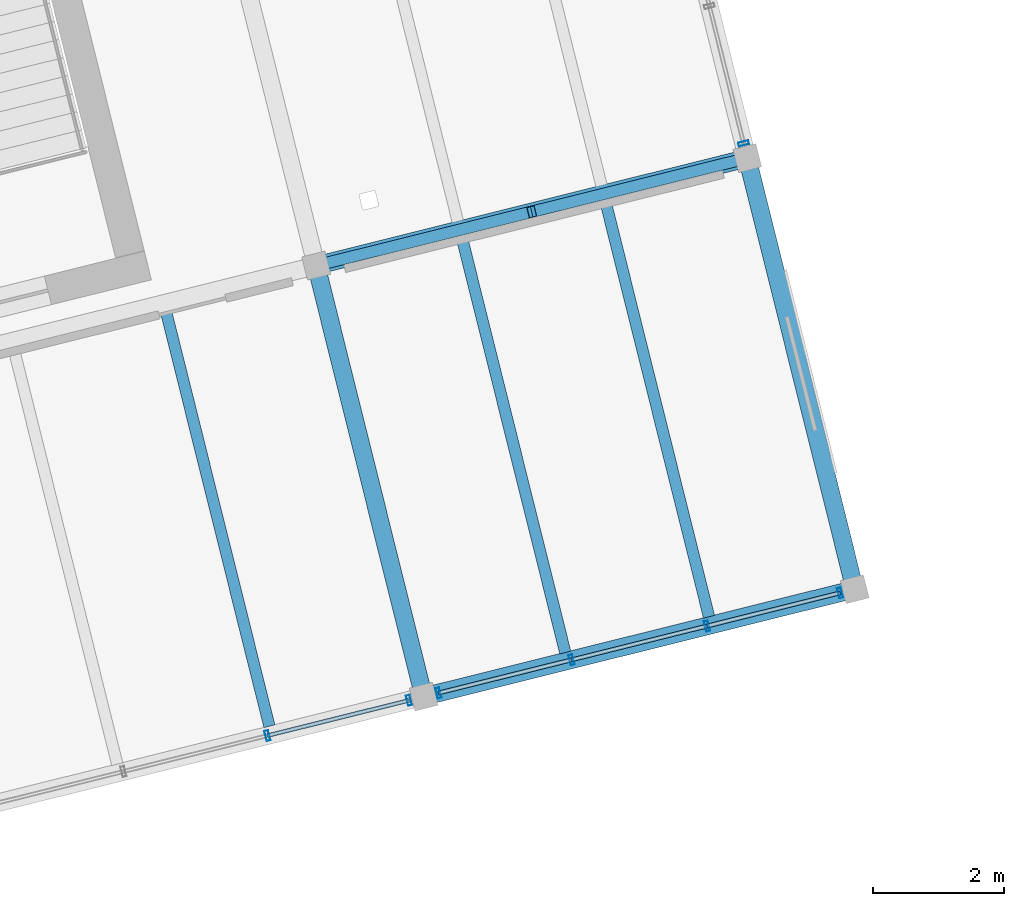
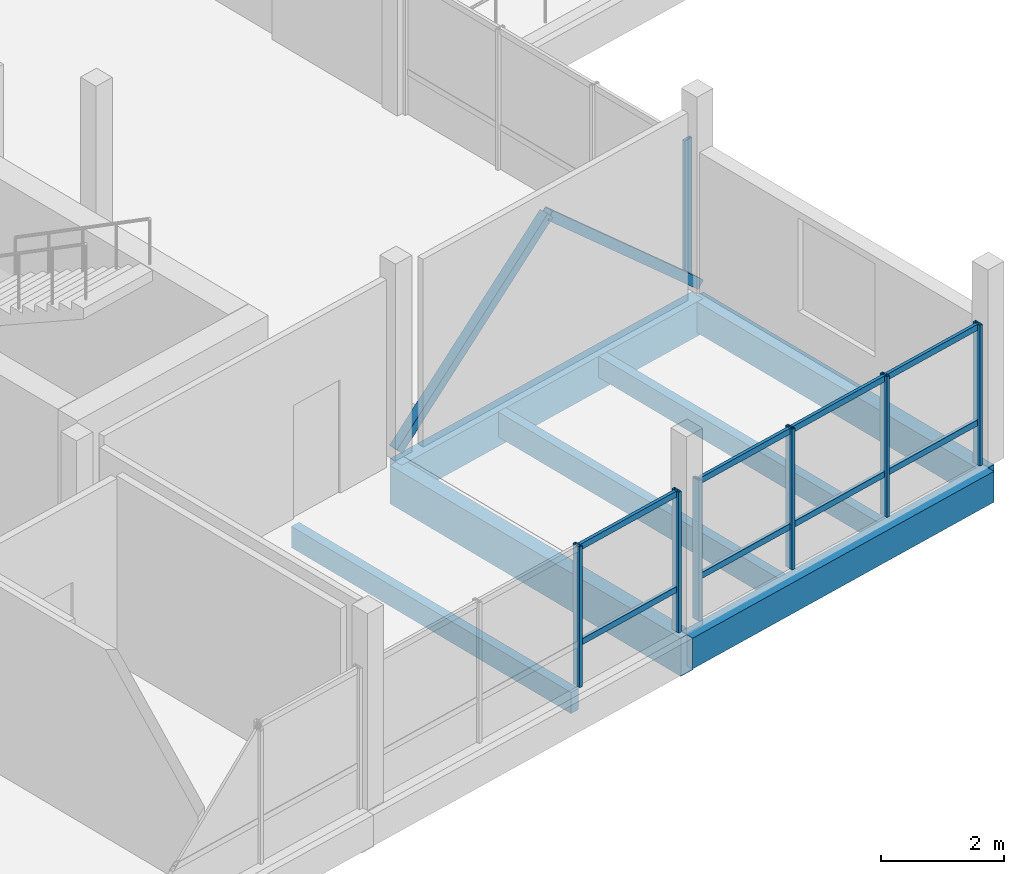
# One storey, part 15 of 28: 17 members, 7 beams, 3 elements without a shape of their own.
"""IFC4 building model written with IfcOpenShell, lengths in metres."""

from ifc_helpers import new_model, si_unit, direction, frame, origin, origin_2d, place, context, subcontext, project, spatial, rectangle, hollow_rectangle, extrude, material, layer, layer_set, material_profile, profile_set, type_object, element, aggregate, save


model = new_model("IFC4")

# Units and contexts
model_context = context("Model", 3, precision=1e-05, world=origin(), true_north=direction((0.0, 1.0)))
body_context = subcontext(model_context, "Body", "Model", "MODEL_VIEW")
ifc_project = project(units=[si_unit("LENGTHUNIT", "METRE"), si_unit("AREAUNIT", "SQUARE_METRE"), si_unit("VOLUMEUNIT", "CUBIC_METRE"), si_unit("PLANEANGLEUNIT", "RADIAN"), si_unit("MASSUNIT", "GRAM", prefix="KILO")], contexts=[model_context])

# Site, building, storey
site_placement = place(None, origin())
site = spatial("IfcSite", under=ifc_project, at=site_placement, CompositionType="ELEMENT")
building_placement = place(site_placement, origin())
building = spatial("IfcBuilding", under=site, at=building_placement, Name="Meriwether Solvik Hall", CompositionType="ELEMENT")
storey_placement = place(building_placement, frame((0.0, 0.0, 45.60009765625)))
storey = spatial("IfcBuildingStorey", under=building, at=storey_placement, Name="L11", CompositionType="ELEMENT", Elevation=45.60009765625)

# Beams
ifc_material_1 = material(Name="Glulam Douglas-Fir 24F-V8 GL28h", Category="wood")
ifc_material_profile_1 = material_profile(ifc_material_1, rectangle(XDim=0.27294921875, YDim=0.610107421875, at=origin_2d()), Name="GLB-273X610")
ifc_profile_set_1 = profile_set([ifc_material_profile_1], Name="Glulam Douglas-Fir 24F-V8 GL28h")
beam_type_1 = type_object("IfcBeamType", Name="BM-GL-273X610", PredefinedType="SPANDREL", material=ifc_profile_set_1)
for number, where, z_axis, x_axis, name in (
    (1, (96.9326171875, 48.26416015625, -0.505126953125), (0.970298579828, 0.24191045034, 0.0), (-0.24191045034, 0.970298579828, 0.0), "Tower Girder TA:T5-T6 (L11)"),
    (2, (103.53076171875, 49.9091796875, -0.505126953125), (-0.2419526798, 0.970288050394, 0.0), (-0.970288050394, -0.2419526798, 0.0), "Tower Girder T6:TA-TB (L11)"),
):
    element("IfcBeam", number, at=place(storey_placement, frame(where, z_axis=z_axis, x_axis=x_axis)), inside=storey, type_object=beam_type_1, Name=name, PredefinedType="SPANDREL", context=body_context, shape_type="SweptSolid", body=[
        extrude(rectangle(XDim=0.27294921875, YDim=0.610107421875, at=origin_2d()), origin(), (0.0, 0.0, 1.0), 6.800048828125),
    ])
ifc_material_2 = material(Name="Glulam Douglas-Fir 24F-V8 GL28h", Category="wood")
ifc_material_profile_2 = material_profile(ifc_material_2, rectangle(XDim=0.27294921875, YDim=0.68505859375, at=origin_2d()), Name="GLB-273X685")
ifc_profile_set_2 = profile_set([ifc_material_profile_2], Name="Glulam Douglas-Fir 24F-V8 GL28h")
beam_type_2 = type_object("IfcBeamType", Name="BM-GL-273X685", PredefinedType="BEAM", material=ifc_profile_set_2)
beam_1_placement = place(storey_placement, frame((95.28759765625, 54.862060546875, -0.54248046875), z_axis=(0.970296478685, 0.241918877831, 0.0), x_axis=(-0.241918877831, 0.970296478685, 0.0)))
element("IfcBeam", 3, at=beam_1_placement, inside=storey, type_object=beam_type_2, Name="Tower Girder TB:T5-T6 (L11)", PredefinedType="BEAM", context=body_context, shape_type="SweptSolid", body=[
    extrude(rectangle(XDim=0.27294921875, YDim=0.68505859375, at=origin_2d()), origin(), (0.0, 0.0, 1.0), 6.7998046875),
])
ifc_material_3 = material(Name="Glulam Douglas-Fir 24F-V8 GL28h", Category="wood")
ifc_material_profile_3 = material_profile(ifc_material_3, rectangle(XDim=0.27294921875, YDim=0.760009765625, at=origin_2d()), Name="GLB-273X760")
ifc_profile_set_3 = profile_set([ifc_material_profile_3], Name="Glulam Douglas-Fir 24F-V8 GL28h")
beam_type_3 = type_object("IfcBeamType", Name="BM-GL-273X760", PredefinedType="BEAM", material=ifc_profile_set_3)
beam_2_placement = place(storey_placement, frame((96.9326171875, 48.26416015625, -0.580078125), z_axis=(-0.241918877831, 0.970296478685, 0.0), x_axis=(-0.970296478685, -0.241918877831, 0.0)))
element("IfcBeam", 4, at=beam_2_placement, inside=storey, type_object=beam_type_3, Name="Tower Girder T5:TA-TB (L11)", PredefinedType="BEAM", context=body_context, shape_type="SweptSolid", body=[
    extrude(rectangle(XDim=0.27294921875, YDim=0.760009765625, at=origin_2d()), origin(), (0.0, 0.0, 1.0), 6.7998046875),
])

# Curtain wall, members
ifc_material_4 = material(Name="Thermally Broken Anodised Aluminium 6063-T6 and Low-E Glass", Category="aluminium")
ifc_layer_1 = layer(ifc_material_4, 0.179931640625)
ifc_layer_set_1 = layer_set([ifc_layer_1], Name="Thermally Broken Anodised Aluminium 6063-T6 and Low-E Glass")
curtain_wall_type_1 = type_object("IfcCurtainWallType", Name="CW-UNIT-E", PredefinedType="USERDEFINED", material=ifc_layer_set_1)
curtain_wall_1_placement = place(storey_placement, origin())
curtain_wall_1 = element("IfcCurtainWall", 5, at=curtain_wall_1_placement, inside=storey, type_object=curtain_wall_type_1, Name="Curtain Wall E0_B3 (L11)", ObjectType="UNITISED CURTAIN WALL", PredefinedType="USERDEFINED")
ifc_material_5 = material(Name="Anodised Aluminium 6063-T6", Category="aluminium")
ifc_material_profile_4 = material_profile(ifc_material_5, hollow_rectangle(XDim=0.06005859375, YDim=0.159912109375, WallThickness=0.00390625, at=origin_2d()), Name="CWM-60X160")
ifc_profile_set_4 = profile_set([ifc_material_profile_4], Name="Anodised Aluminium 6063-T6")
member_type_1 = type_object("IfcMemberType", Name="CW-MUL-60X160", PredefinedType="MULLION", material=ifc_profile_set_4)
member_1_placement = place(storey_placement, frame((96.70703125, 48.207763671875, 0.0), z_axis=(0.0, 0.0, 1.0), x_axis=(-0.97029573429, -0.241921863457, 0.0)))
member_1 = element("IfcMember", 6, at=member_1_placement, type_object=member_type_1, Name="Curtain Wall Mullion 1", PredefinedType="MULLION", context=body_context, shape_type="SweptSolid", body=[
    extrude(hollow_rectangle(XDim=0.06005859375, YDim=0.159912109375, WallThickness=0.00390625, at=origin_2d()), origin(), (0.0, 0.0, 1.0), 2.789794921875),
])
member_2_placement = place(storey_placement, frame((94.541015625, 47.667724609375, 0.0), z_axis=(0.0, 0.0, 1.0), x_axis=(-0.97029573429, -0.241921863457, 0.0)))
member_2 = element("IfcMember", 7, at=member_2_placement, type_object=member_type_1, Name="Curtain Wall Mullion 2", PredefinedType="MULLION", context=body_context, shape_type="SweptSolid", body=[
    extrude(hollow_rectangle(XDim=0.06005859375, YDim=0.159912109375, WallThickness=0.00390625, at=origin_2d()), origin(), (0.0, 0.0, 1.0), 2.789794921875),
])

ifc_material_6 = material(Name="Thermally Broken Anodised Aluminium 6063-T6 and Low-E Glass", Category="aluminium")
ifc_layer_2 = layer(ifc_material_6, 0.179931640625)
ifc_layer_set_2 = layer_set([ifc_layer_2], Name="Thermally Broken Anodised Aluminium 6063-T6 and Low-E Glass")
curtain_wall_type_2 = type_object("IfcCurtainWallType", Name="CW-UNIT-F", PredefinedType="USERDEFINED", material=ifc_layer_set_2)
curtain_wall_2_placement = place(storey_placement, origin())
curtain_wall_2 = element("IfcCurtainWall", 8, at=curtain_wall_2_placement, inside=storey, type_object=curtain_wall_type_2, Name="Curtain Wall E0_B4 (L11)", ObjectType="UNITISED CURTAIN WALL", PredefinedType="USERDEFINED")
member_3_placement = place(storey_placement, frame((103.304931640625, 49.85302734375, 0.0), z_axis=(0.0, 0.0, 1.0), x_axis=(-0.970295737161, -0.241921851942, 0.0)))
member_3 = element("IfcMember", 9, at=member_3_placement, type_object=member_type_1, Name="Curtain Wall Mullion 1", PredefinedType="MULLION", context=body_context, shape_type="SweptSolid", body=[
    extrude(hollow_rectangle(XDim=0.06005859375, YDim=0.159912109375, WallThickness=0.00390625, at=origin_2d()), origin(), (0.0, 0.0, 1.0), 2.789794921875),
])
member_4_placement = place(storey_placement, frame((101.268310546875, 49.34521484375, 0.0), z_axis=(0.0, 0.0, 1.0), x_axis=(-0.970295737161, -0.241921851942, 0.0)))
member_4 = element("IfcMember", 10, at=member_4_placement, type_object=member_type_1, Name="Curtain Wall Mullion 2", PredefinedType="MULLION", context=body_context, shape_type="SweptSolid", body=[
    extrude(hollow_rectangle(XDim=0.06005859375, YDim=0.159912109375, WallThickness=0.00390625, at=origin_2d()), origin(), (0.0, 0.0, 1.0), 2.789794921875),
])
member_5_placement = place(storey_placement, frame((99.19482421875, 48.828125, 0.0), z_axis=(0.0, 0.0, 1.0), x_axis=(-0.970295737161, -0.241921851942, 0.0)))
member_5 = element("IfcMember", 11, at=member_5_placement, type_object=member_type_1, Name="Curtain Wall Mullion 3", PredefinedType="MULLION", context=body_context, shape_type="SweptSolid", body=[
    extrude(hollow_rectangle(XDim=0.06005859375, YDim=0.159912109375, WallThickness=0.00390625, at=origin_2d()), origin(), (0.0, 0.0, 1.0), 2.789794921875),
])
member_6_placement = place(storey_placement, frame((97.158203125, 48.3203125, 0.0), z_axis=(0.0, 0.0, 1.0), x_axis=(-0.970295737161, -0.241921851942, 0.0)))
member_6 = element("IfcMember", 12, at=member_6_placement, type_object=member_type_1, Name="Curtain Wall Mullion 4", PredefinedType="MULLION", context=body_context, shape_type="SweptSolid", body=[
    extrude(hollow_rectangle(XDim=0.06005859375, YDim=0.159912109375, WallThickness=0.00390625, at=origin_2d()), origin(), (0.0, 0.0, 1.0), 2.789794921875),
])

# Curtain wall, member
ifc_material_7 = material(Name="Thermally Broken Anodised Aluminium 6063-T6 and Low-E Glass", Category="aluminium")
ifc_layer_3 = layer(ifc_material_7, 0.179931640625)
ifc_layer_set_3 = layer_set([ifc_layer_3], Name="Thermally Broken Anodised Aluminium 6063-T6 and Low-E Glass")
curtain_wall_type_3 = type_object("IfcCurtainWallType", Name="CW-UNIT-D", PredefinedType="USERDEFINED", material=ifc_layer_set_3)
curtain_wall_3_placement = place(storey_placement, origin())
curtain_wall_3 = element("IfcCurtainWall", 13, at=curtain_wall_3_placement, inside=storey, type_object=curtain_wall_type_3, Name="Curtain Wall E1_B1 (L11)", ObjectType="UNITISED CURTAIN WALL", PredefinedType="USERDEFINED")
member_7_placement = place(storey_placement, frame((101.829345703125, 56.73291015625, 0.0), z_axis=(0.0, 0.0, 1.0), x_axis=(0.241921804422, -0.970295749009, 0.0)))
member_7 = element("IfcMember", 14, at=member_7_placement, type_object=member_type_1, Name="Curtain Wall Mullion 4", PredefinedType="MULLION", context=body_context, shape_type="SweptSolid", body=[
    extrude(hollow_rectangle(XDim=0.06005859375, YDim=0.159912109375, WallThickness=0.00390625, at=origin_2d()), origin(), (0.0, 0.0, 1.0), 2.789794921875),
])
aggregate(curtain_wall_3, [member_7])

# Member
ifc_material_8 = material(Name="Anodised Aluminium 6063-T6", Category="aluminium")
ifc_material_profile_5 = material_profile(ifc_material_8, hollow_rectangle(XDim=0.06005859375, YDim=0.1201171875, WallThickness=0.00390625, at=origin_2d()), Name="CWT-60X120")
ifc_profile_set_5 = profile_set([ifc_material_profile_5], Name="Anodised Aluminium 6063-T6")
member_type_2 = type_object("IfcMemberType", Name="CW-TRN-60X120", PredefinedType="USERDEFINED", material=ifc_profile_set_5)
member_8_placement = place(storey_placement, frame((96.70703125, 48.207763671875, 0.8369140625), z_axis=(-0.970296702868, -0.241917978668, 0.0), x_axis=(0.241917978668, -0.970296702868, 0.0)))
member_8 = element("IfcMember", 15, at=member_8_placement, type_object=member_type_2, Name="Curtain Wall Transom 1-sill", ObjectType="TRANSOM", PredefinedType="USERDEFINED", context=body_context, shape_type="SweptSolid", body=[
    extrude(hollow_rectangle(XDim=0.06005859375, YDim=0.1201171875, WallThickness=0.00390625, at=origin_2d()), origin(), (0.0, 0.0, 1.0), 2.232421875),
])

member_9_placement = place(storey_placement, frame((96.70703125, 48.207763671875, 2.72998046875), z_axis=(-0.970296702868, -0.241917978668, 0.0), x_axis=(0.241917978668, -0.970296702868, 0.0)))
member_9 = element("IfcMember", 16, at=member_9_placement, type_object=member_type_2, Name="Curtain Wall Transom 1-head", ObjectType="TRANSOM", PredefinedType="USERDEFINED", context=body_context, shape_type="SweptSolid", body=[
    extrude(hollow_rectangle(XDim=0.06005859375, YDim=0.1201171875, WallThickness=0.00390625, at=origin_2d()), origin(), (0.0, 0.0, 1.0), 2.232421875),
])

aggregate(curtain_wall_1, [member_1, member_2, member_8, member_9])

member_10_placement = place(storey_placement, frame((103.304931640625, 49.85302734375, 0.8369140625), z_axis=(-0.970292837531, -0.241933481427, 0.0), x_axis=(0.241933481427, -0.970292837531, 0.0)))
member_10 = element("IfcMember", 17, at=member_10_placement, type_object=member_type_2, Name="Curtain Wall Transom 1-sill", ObjectType="TRANSOM", PredefinedType="USERDEFINED", context=body_context, shape_type="SweptSolid", body=[
    extrude(hollow_rectangle(XDim=0.06005859375, YDim=0.1201171875, WallThickness=0.00390625, at=origin_2d()), origin(), (0.0, 0.0, 1.0), 2.098876953125),
])

member_11_placement = place(storey_placement, frame((103.304931640625, 49.85302734375, 2.72998046875), z_axis=(-0.970292837531, -0.241933481427, 0.0), x_axis=(0.241933481427, -0.970292837531, 0.0)))
member_11 = element("IfcMember", 18, at=member_11_placement, type_object=member_type_2, Name="Curtain Wall Transom 1-head", ObjectType="TRANSOM", PredefinedType="USERDEFINED", context=body_context, shape_type="SweptSolid", body=[
    extrude(hollow_rectangle(XDim=0.06005859375, YDim=0.1201171875, WallThickness=0.00390625, at=origin_2d()), origin(), (0.0, 0.0, 1.0), 2.098876953125),
])

member_12_placement = place(storey_placement, frame((101.268310546875, 49.34521484375, 0.8369140625), z_axis=(-0.970283462184, -0.241971078877, 0.0), x_axis=(0.241971078877, -0.970283462184, 0.0)))
member_12 = element("IfcMember", 19, at=member_12_placement, type_object=member_type_2, Name="Curtain Wall Transom 2-sill", ObjectType="TRANSOM", PredefinedType="USERDEFINED", context=body_context, shape_type="SweptSolid", body=[
    extrude(hollow_rectangle(XDim=0.06005859375, YDim=0.1201171875, WallThickness=0.00390625, at=origin_2d()), origin(), (0.0, 0.0, 1.0), 2.136962890625),
])

member_13_placement = place(storey_placement, frame((101.268310546875, 49.34521484375, 2.72998046875), z_axis=(-0.970283462184, -0.241971078877, 0.0), x_axis=(0.241971078877, -0.970283462184, 0.0)))
member_13 = element("IfcMember", 20, at=member_13_placement, type_object=member_type_2, Name="Curtain Wall Transom 2-head", ObjectType="TRANSOM", PredefinedType="USERDEFINED", context=body_context, shape_type="SweptSolid", body=[
    extrude(hollow_rectangle(XDim=0.06005859375, YDim=0.1201171875, WallThickness=0.00390625, at=origin_2d()), origin(), (0.0, 0.0, 1.0), 2.136962890625),
])

member_14_placement = place(storey_placement, frame((99.19482421875, 48.828125, 0.8369140625), z_axis=(-0.970292837531, -0.241933481427, 0.0), x_axis=(0.241933481427, -0.970292837531, 0.0)))
member_14 = element("IfcMember", 21, at=member_14_placement, type_object=member_type_2, Name="Curtain Wall Transom 3-sill", ObjectType="TRANSOM", PredefinedType="USERDEFINED", context=body_context, shape_type="SweptSolid", body=[
    extrude(hollow_rectangle(XDim=0.06005859375, YDim=0.1201171875, WallThickness=0.00390625, at=origin_2d()), origin(), (0.0, 0.0, 1.0), 2.098876953125),
])

member_15_placement = place(storey_placement, frame((99.19482421875, 48.828125, 2.72998046875), z_axis=(-0.970292837531, -0.241933481427, 0.0), x_axis=(0.241933481427, -0.970292837531, 0.0)))
member_15 = element("IfcMember", 22, at=member_15_placement, type_object=member_type_2, Name="Curtain Wall Transom 3-head", ObjectType="TRANSOM", PredefinedType="USERDEFINED", context=body_context, shape_type="SweptSolid", body=[
    extrude(hollow_rectangle(XDim=0.06005859375, YDim=0.1201171875, WallThickness=0.00390625, at=origin_2d()), origin(), (0.0, 0.0, 1.0), 2.098876953125),
])

aggregate(curtain_wall_2, [member_3, member_4, member_5, member_6, member_10, member_11, member_12, member_13, member_14, member_15])

# Beams
ifc_material_9 = material(Name="Glulam Douglas-Fir 24F-V8 GL28h", Category="wood")
ifc_material_profile_6 = material_profile(ifc_material_9, rectangle(XDim=0.175048828125, YDim=0.419921875, at=origin_2d()), Name="GLJ-175X420")
ifc_profile_set_6 = profile_set([ifc_material_profile_6], Name="Glulam Douglas-Fir 24F-V8 GL28h")
beam_type_4 = type_object("IfcBeamType", Name="JST-GL-175X420", PredefinedType="JOIST", material=ifc_profile_set_6)
for number, where, z_axis, x_axis, name in (
    (23, (94.572021484375, 47.81103515625, -0.41015625), (-0.241902854765, 0.970300473491, 0.0), (-0.970300473491, -0.241902854765, 0.0), "Glulam Floor Joist T4/TA-J2 (L11)"),
    (24, (101.299560546875, 49.488525390625, -0.41015625), (-0.241938016776, 0.970291706673, 0.0), (-0.970291706673, -0.241938016776, 0.0), "Glulam Floor Joist T5/TA-J2 (L11)"),
):
    element("IfcBeam", number, at=place(storey_placement, frame(where, z_axis=z_axis, x_axis=x_axis)), inside=storey, type_object=beam_type_4, Name=name, PredefinedType="JOIST", context=body_context, shape_type="SweptSolid", body=[
        extrude(rectangle(XDim=0.175048828125, YDim=0.419921875, at=origin_2d()), origin(), (0.0, 0.0, 1.0), 6.536865234375),
    ])
ifc_material_10 = material(Name="Glulam Douglas-Fir 24F-V8 GL28h", Category="wood")
ifc_material_profile_7 = material_profile(ifc_material_10, rectangle(XDim=0.175048828125, YDim=0.4951171875, at=origin_2d()), Name="GLJ-175X495")
ifc_profile_set_7 = profile_set([ifc_material_profile_7], Name="Glulam Douglas-Fir 24F-V8 GL28h")
beam_type_5 = type_object("IfcBeamType", Name="JST-GL-175X495", PredefinedType="JOIST", material=ifc_profile_set_7)
beam_3_placement = place(storey_placement, frame((99.10009765625, 48.940185546875, -0.447509765625), z_axis=(-0.241902854765, 0.970300473491, 0.0), x_axis=(-0.970300473491, -0.241902854765, 0.0)))
element("IfcBeam", 25, at=beam_3_placement, inside=storey, type_object=beam_type_5, Name="Glulam Floor Joist T5/TA-J1 (L11)", PredefinedType="JOIST", context=body_context, shape_type="SweptSolid", body=[
    extrude(rectangle(XDim=0.175048828125, YDim=0.4951171875, at=origin_2d()), origin(), (0.0, 0.0, 1.0), 6.536865234375),
])

# Members
ifc_material_11 = material(Name="Steel A500 Grade C", Category="steel")
ifc_material_profile_8 = material_profile(ifc_material_11, hollow_rectangle(XDim=0.177978515625, YDim=0.177978515625, WallThickness=0.009521484375, at=origin_2d()), Name="HSS178X178X9.5")
ifc_profile_set_8 = profile_set([ifc_material_profile_8], Name="Steel A500 Grade C")
member_type_3 = type_object("IfcMemberType", Name="MEM-BR-HSS178", PredefinedType="BRACE", material=ifc_profile_set_8)
member_16_placement = place(storey_placement, frame((95.28759765625, 54.862060546875, 0.0498046875), z_axis=(0.724906074765, 0.180730301627, 0.664716285977), x_axis=(-0.24191045034, 0.970298579828, 0.0)))
element("IfcMember", 26, at=member_16_placement, inside=storey, type_object=member_type_3, Name="Tower Chevron Brace L11-B3A", PredefinedType="BRACE", context=body_context, shape_type="SweptSolid", body=[
    extrude(hollow_rectangle(XDim=0.177978515625, YDim=0.177978515625, WallThickness=0.009521484375, at=origin_2d()), origin(), (0.0, 0.0, 1.0), 4.551025390625),
])
member_17_placement = place(storey_placement, frame((101.885498046875, 56.507080078125, 0.0498046875), z_axis=(-0.724880618086, -0.180737329953, 0.664742135783), x_axis=(0.241927305891, -0.970294377323, 0.0)))
element("IfcMember", 27, at=member_17_placement, inside=storey, type_object=member_type_3, Name="Tower Chevron Brace L11-B3B", PredefinedType="BRACE", context=body_context, shape_type="SweptSolid", body=[
    extrude(hollow_rectangle(XDim=0.177978515625, YDim=0.177978515625, WallThickness=0.009521484375, at=origin_2d()), origin(), (0.0, 0.0, 1.0), 4.55078125),
])

save(model, "model.ifc")
